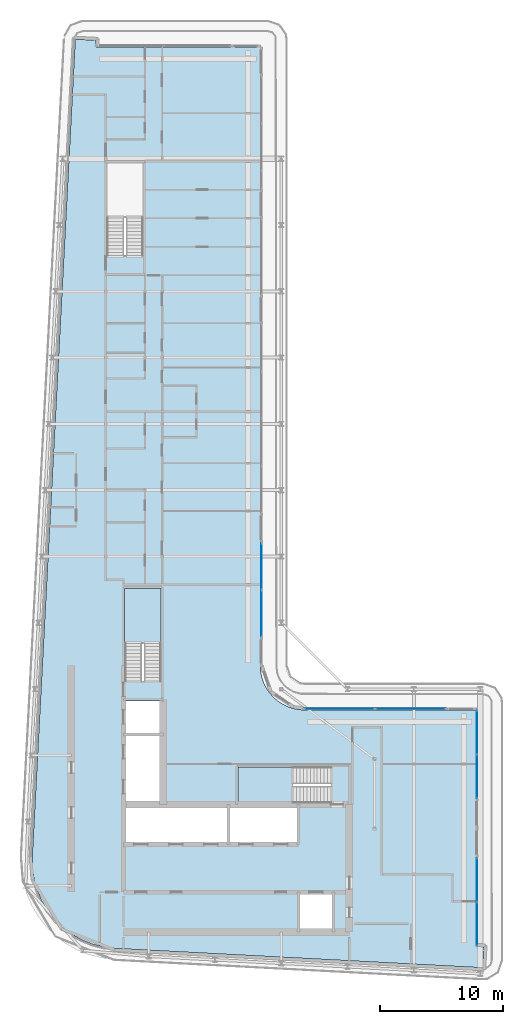
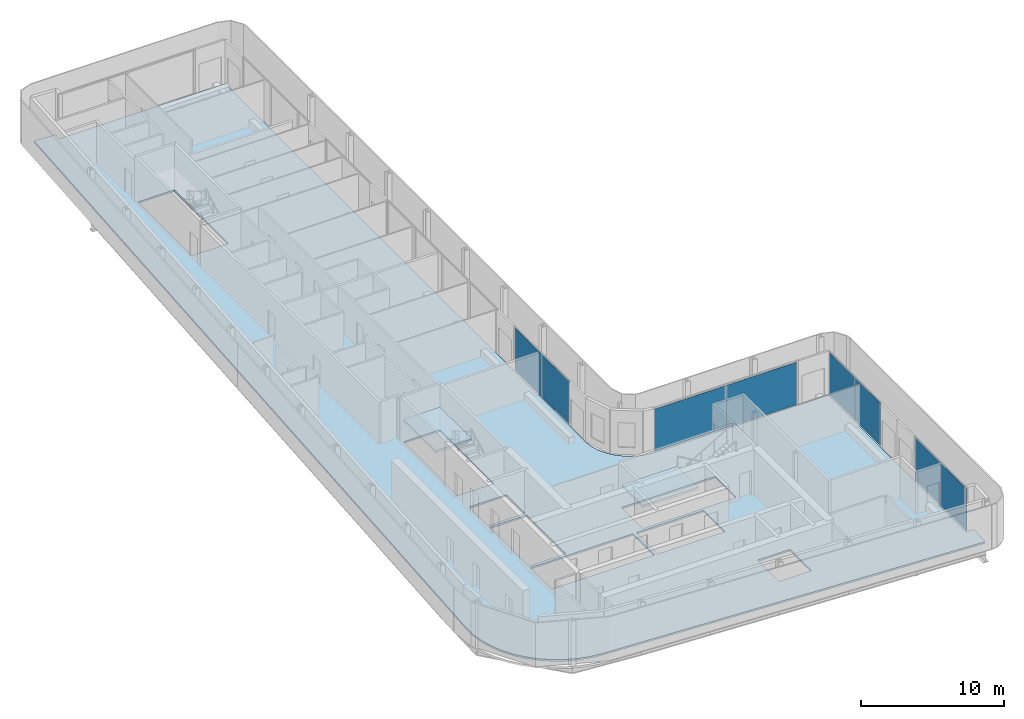
# One storey, part 9 of 21: 8 plates, 3 slabs, 6 elements without a shape of their own.
"""IFC4 building model written with IfcOpenShell, lengths in metres."""

from ifc_helpers import new_model, si_unit, direction, frame, origin, origin_2d, place, context, subcontext, project, spatial, polyline, rectangle, outline, extrude, material, layer, layer_set, type_object, element, aggregate, save


model = new_model("IFC4")

# Units and contexts
model_context = context("Model", 3, precision=1e-05, world=origin(), true_north=direction((0.0, 1.0)))
body_context = subcontext(model_context, "Body", "Model", "MODEL_VIEW")
ifc_project = project(units=[si_unit("LENGTHUNIT", "METRE"), si_unit("AREAUNIT", "SQUARE_METRE"), si_unit("VOLUMEUNIT", "CUBIC_METRE"), si_unit("PLANEANGLEUNIT", "RADIAN"), si_unit("MASSUNIT", "GRAM", prefix="KILO")], contexts=[model_context])

# Site, building, storey
site_placement = place(None, origin())
site = spatial("IfcSite", under=ifc_project, at=site_placement, CompositionType="ELEMENT")
building_placement = place(site_placement, origin())
building = spatial("IfcBuilding", under=site, at=building_placement, Name="Kheshtan School and Residences Tower", CompositionType="ELEMENT")
storey_placement = place(building_placement, frame((0.0, 0.0, 282.5)))
storey = spatial("IfcBuildingStorey", under=building, at=storey_placement, Name="L66", CompositionType="ELEMENT", Elevation=282.5)

# Curtain wall, plates
ifc_material_1 = material(Name="Clear low-e glass in thermally broken aluminium frame", Category="aluminium")
ifc_layer_1 = layer(ifc_material_1, 0.199951171875)
ifc_layer_set_1 = layer_set([ifc_layer_1], Name="Curtain wall CW-L")
curtain_wall_type = type_object("IfcCurtainWallType", Name="Curtain wall CW-L", PredefinedType="NOTDEFINED", material=ifc_layer_set_1)
curtain_wall_1_placement = place(storey_placement, origin())
curtain_wall_1 = element("IfcCurtainWall", 1, at=curtain_wall_1_placement, inside=storey, type_object=curtain_wall_type, Name="Curtain wall CWL8", PredefinedType="NOTDEFINED")
ifc_layer_2 = layer(ifc_material_1, 0.031982421875)
ifc_layer_set_2 = layer_set([ifc_layer_2], Name="CW-L glass panel")
plate_type = type_object("IfcPlateType", Name="CW-L glass panel", PredefinedType="CURTAIN_PANEL", material=ifc_layer_set_2)
plate_1_placement = place(storey_placement, frame((46.0, 55.58544921875, 0.0), z_axis=(0.0, 0.0, 1.0), x_axis=(0.0, -1.0, 0.0)))
plate_1 = element("IfcPlate", 2, at=plate_1_placement, type_object=plate_type, Name="CWL8 panel 1.1", PredefinedType="CURTAIN_PANEL", context=body_context, shape_type="SweptSolid", body=[
    extrude(rectangle(XDim=3.757080078125, YDim=0.031982421875, at=origin_2d()), origin(), (0.0, 0.0, 1.0), 3.6298828125),
])
plate_2_placement = place(storey_placement, frame((46.0, 51.7685546875, 0.0), z_axis=(0.0, 0.0, 1.0), x_axis=(0.0, -1.0, 0.0)))
plate_2 = element("IfcPlate", 3, at=plate_2_placement, type_object=plate_type, Name="CWL8 panel 2.1", PredefinedType="CURTAIN_PANEL", context=body_context, shape_type="SweptSolid", body=[
    extrude(rectangle(XDim=3.757080078125, YDim=0.031982421875, at=origin_2d()), origin(), (0.0, 0.0, 1.0), 3.6298828125),
])
aggregate(curtain_wall_1, [plate_1, plate_2])

curtain_wall_2_placement = place(storey_placement, origin())
curtain_wall_2 = element("IfcCurtainWall", 4, at=curtain_wall_2_placement, inside=storey, type_object=curtain_wall_type, Name="Curtain wall CWL1232", PredefinedType="NOTDEFINED")
plate_3_placement = place(storey_placement, frame((52.35009765625, 44.0, 0.0), z_axis=(0.0, 0.0, 1.0), x_axis=(1.0, 0.0, 0.0)))
plate_3 = element("IfcPlate", 5, at=plate_3_placement, type_object=plate_type, Name="CWL1232 panel 1.1", PredefinedType="CURTAIN_PANEL", context=body_context, shape_type="SweptSolid", body=[
    extrude(rectangle(XDim=5.719970703125, YDim=0.031982421875, at=origin_2d()), origin(), (0.0, 0.0, 1.0), 3.6298828125),
])
plate_4_placement = place(storey_placement, frame((58.1298828125, 44.0, 0.0), z_axis=(0.0, 0.0, 1.0), x_axis=(1.0, 0.0, 0.0)))
plate_4 = element("IfcPlate", 6, at=plate_4_placement, type_object=plate_type, Name="CWL1232 panel 2.1", PredefinedType="CURTAIN_PANEL", context=body_context, shape_type="SweptSolid", body=[
    extrude(rectangle(XDim=5.719970703125, YDim=0.031982421875, at=origin_2d()), origin(), (0.0, 0.0, 1.0), 3.6298828125),
])
aggregate(curtain_wall_2, [plate_3, plate_4])

curtain_wall_3_placement = place(storey_placement, origin())
curtain_wall_3 = element("IfcCurtainWall", 7, at=curtain_wall_3_placement, inside=storey, type_object=curtain_wall_type, Name="Curtain wall CWL13d", PredefinedType="NOTDEFINED")
plate_5_placement = place(storey_placement, frame((63.550048828125, 42.07666015625, 0.0), z_axis=(0.0, 0.0, 1.0), x_axis=(0.0, -1.0, 0.0)))
plate_5 = element("IfcPlate", 8, at=plate_5_placement, type_object=plate_type, Name="CWL13d panel 1.1", PredefinedType="CURTAIN_PANEL", context=body_context, shape_type="SweptSolid", body=[
    extrude(rectangle(XDim=3.52685546875, YDim=0.031982421875, at=origin_2d()), origin(), (0.0, 0.0, 1.0), 3.6298828125),
])
plate_6_placement = place(storey_placement, frame((63.550048828125, 38.489990234375, 0.0), z_axis=(0.0, 0.0, 1.0), x_axis=(0.0, -1.0, 0.0)))
plate_6 = element("IfcPlate", 9, at=plate_6_placement, type_object=plate_type, Name="CWL13d panel 2.1", PredefinedType="CURTAIN_PANEL", context=body_context, shape_type="SweptSolid", body=[
    extrude(rectangle(XDim=3.52685546875, YDim=0.031982421875, at=origin_2d()), origin(), (0.0, 0.0, 1.0), 3.6298828125),
])
aggregate(curtain_wall_3, [plate_5, plate_6])

curtain_wall_4_placement = place(storey_placement, origin())
curtain_wall_4 = element("IfcCurtainWall", 10, at=curtain_wall_4_placement, inside=storey, type_object=curtain_wall_type, Name="Curtain wall CWL13d", PredefinedType="NOTDEFINED")
plate_7_placement = place(storey_placement, frame((63.550048828125, 30.043212890625, 0.0), z_axis=(0.0, 0.0, 1.0), x_axis=(0.0, -1.0, 0.0)))
plate_7 = element("IfcPlate", 11, at=plate_7_placement, type_object=plate_type, Name="CWL13d panel 1.1", PredefinedType="CURTAIN_PANEL", context=body_context, shape_type="SweptSolid", body=[
    extrude(rectangle(XDim=3.52685546875, YDim=0.031982421875, at=origin_2d()), origin(), (0.0, 0.0, 1.0), 3.6298828125),
])
plate_8_placement = place(storey_placement, frame((63.550048828125, 26.456298828125, 0.0), z_axis=(0.0, 0.0, 1.0), x_axis=(0.0, -1.0, 0.0)))
plate_8 = element("IfcPlate", 12, at=plate_8_placement, type_object=plate_type, Name="CWL13d panel 2.1", PredefinedType="CURTAIN_PANEL", context=body_context, shape_type="SweptSolid", body=[
    extrude(rectangle(XDim=3.52685546875, YDim=0.031982421875, at=origin_2d()), origin(), (0.0, 0.0, 1.0), 3.6298828125),
])
aggregate(curtain_wall_4, [plate_7, plate_8])

# Slab
ifc_material_2 = material(Name="Concrete C40/50", Category="concrete")
ifc_layer_3 = layer(ifc_material_2, 0.14990234375)
ifc_layer_set_3 = layer_set([ifc_layer_3], Name="Floor slab 150 Concrete C40/50")
slab_type_1 = type_object("IfcSlabType", Name="Floor slab 150 Concrete C40/50", PredefinedType="FLOOR", material=ifc_layer_set_3)
slab_1_placement = place(storey_placement, frame((0.0, 0.0, -0.14990234375)))
element("IfcSlab", 13, at=slab_1_placement, inside=storey, type_object=slab_type_1, Name="Floor slab L66", PredefinedType="FLOOR", context=body_context, shape_type="SweptSolid", body=[
    extrude(outline(polyline([(28.55908203125, 27.550048828125), (28.0849609375, 28.345947265625), (27.718017578125, 29.200927734375), (27.466064453125, 30.093017578125), (27.466064453125, 30.093994140625), (27.3330078125, 31.013916015625), (27.320068359375, 31.965087890625), (27.320068359375, 31.970947265625), (30.822021484375, 98.5009765625), (30.822998046875, 98.508056640625), (30.825927734375, 98.531005859375), (30.825927734375, 98.531982421875), (30.826904296875, 98.531982421875), (31.422119140625, 98.5), (31.423095703125, 98.5), (31.423095703125, 98.4990234375), (31.423095703125, 98.4951171875), (31.423095703125, 98.493896484375), (31.424072265625, 98.493896484375), (31.424072265625, 98.492919921875), (31.425048828125, 98.492919921875), (31.426025390625, 98.492919921875), (31.426025390625, 98.493896484375), (31.427978515625, 98.49609375), (31.428955078125, 98.4970703125), (31.429931640625, 98.498046875), (31.430908203125, 98.498046875), (31.430908203125, 98.4990234375), (31.431884765625, 98.4990234375), (31.431884765625, 98.5), (31.43505859375, 98.5009765625), (31.43603515625, 98.501953125), (31.43896484375, 98.501953125), (31.43994140625, 98.501953125), (31.43994140625, 98.5029296875), (31.44091796875, 98.5029296875), (31.446044921875, 98.5029296875), (32.5009765625, 98.447021484375), (32.50390625, 98.447021484375), (32.5048828125, 98.447021484375), (32.5048828125, 98.446044921875), (32.506103515625, 98.446044921875), (32.510009765625, 98.446044921875), (32.510009765625, 98.445068359375), (32.510986328125, 98.445068359375), (32.510986328125, 98.444091796875), (32.511962890625, 98.444091796875), (32.511962890625, 98.443115234375), (32.512939453125, 98.443115234375), (32.513916015625, 98.443115234375), (32.513916015625, 98.44189453125), (32.514892578125, 98.44189453125), (32.51611328125, 98.44189453125), (32.51904296875, 98.43896484375), (32.51904296875, 98.43798828125), (32.51904296875, 98.43701171875), (32.52001953125, 98.43701171875), (32.52001953125, 98.43603515625), (32.52099609375, 98.43603515625), (32.52099609375, 98.43408203125), (32.52099609375, 98.43310546875), (32.52197265625, 98.43310546875), (32.52197265625, 98.431884765625), (32.52294921875, 98.431884765625), (32.52294921875, 98.430908203125), (32.52294921875, 98.428955078125), (32.52294921875, 98.427978515625), (32.52392578125, 98.427978515625), (32.52392578125, 98.427001953125), (32.52392578125, 98.422119140625), (32.4970703125, 97.9208984375), (32.4970703125, 97.91796875), (32.4970703125, 97.9169921875), (32.49609375, 97.9169921875), (32.49609375, 97.916015625), (32.49609375, 97.912109375), (32.4951171875, 97.910888671875), (32.4951171875, 97.909912109375), (32.493896484375, 97.909912109375), (32.493896484375, 97.908935546875), (32.492919921875, 97.908935546875), (32.492919921875, 97.907958984375), (32.489013671875, 97.904052734375), (32.488037109375, 97.904052734375), (32.488037109375, 97.903076171875), (32.488037109375, 97.902099609375), (32.488037109375, 97.90087890625), (32.489013671875, 97.90087890625), (32.489013671875, 97.89990234375), (32.489990234375, 97.89990234375), (45.85498046875, 97.89990234375), (45.864990234375, 97.89794921875), (45.865966796875, 97.89794921875), (45.868896484375, 97.89599609375), (45.8740234375, 97.89404296875), (45.8779296875, 97.89208984375), (45.881103515625, 97.889892578125), (45.881103515625, 97.888916015625), (45.882080078125, 97.888916015625), (45.882080078125, 97.887939453125), (45.883056640625, 97.887939453125), (45.884033203125, 97.885009765625), (45.885009765625, 97.885009765625), (45.885009765625, 97.884033203125), (45.887939453125, 97.883056640625), (45.887939453125, 97.882080078125), (45.888916015625, 97.882080078125), (45.888916015625, 97.881103515625), (45.889892578125, 97.881103515625), (45.89208984375, 97.8779296875), (45.89404296875, 97.8740234375), (45.89599609375, 97.868896484375), (45.89794921875, 97.865966796875), (45.89794921875, 97.864990234375), (45.89990234375, 97.85498046875), (45.89990234375, 47.429931640625), (45.927001953125, 47.030029296875), (46.01806640625, 46.570068359375), (46.01806640625, 46.569091796875), (46.169921875, 46.1201171875), (46.37890625, 45.697021484375), (46.638916015625, 45.30810546875), (46.949951171875, 44.950927734375), (46.950927734375, 44.949951171875), (47.30810546875, 44.638916015625), (47.697021484375, 44.37890625), (48.1201171875, 44.169921875), (48.569091796875, 44.01806640625), (48.570068359375, 44.01806640625), (49.030029296875, 43.927001953125), (49.429931640625, 43.89990234375), (63.405029296875, 43.89990234375), (63.409912109375, 43.89892578125), (63.4150390625, 43.89794921875), (63.416015625, 43.89794921875), (63.4189453125, 43.89599609375), (63.424072265625, 43.89404296875), (63.427978515625, 43.89208984375), (63.430908203125, 43.889892578125), (63.430908203125, 43.888916015625), (63.431884765625, 43.888916015625), (63.431884765625, 43.887939453125), (63.43310546875, 43.887939453125), (63.43408203125, 43.885009765625), (63.43505859375, 43.885009765625), (63.43505859375, 43.884033203125), (63.43798828125, 43.883056640625), (63.43798828125, 43.882080078125), (63.43896484375, 43.882080078125), (63.43896484375, 43.881103515625), (63.43994140625, 43.881103515625), (63.44189453125, 43.8779296875), (63.444091796875, 43.8740234375), (63.446044921875, 43.868896484375), (63.447998046875, 43.865966796875), (63.447998046875, 43.864990234375), (63.449951171875, 43.85498046875), (63.449951171875, 24.6279296875), (63.449951171875, 24.626953125), (63.450927734375, 24.626953125), (63.450927734375, 24.6259765625), (63.451904296875, 24.6259765625), (63.452880859375, 24.6259765625), (63.452880859375, 24.626953125), (63.455078125, 24.62890625), (63.4560546875, 24.6298828125), (63.45703125, 24.631103515625), (63.4580078125, 24.631103515625), (63.4580078125, 24.632080078125), (63.458984375, 24.632080078125), (63.458984375, 24.633056640625), (63.462890625, 24.635009765625), (63.466064453125, 24.635009765625), (63.467041015625, 24.635009765625), (63.467041015625, 24.635986328125), (63.468017578125, 24.635986328125), (63.472900390625, 24.635986328125), (64.087890625, 24.60302734375), (64.091064453125, 24.60302734375), (64.092041015625, 24.60302734375), (64.092041015625, 24.60205078125), (64.093017578125, 24.60205078125), (64.096923828125, 24.60205078125), (64.096923828125, 24.60107421875), (64.097900390625, 24.60107421875), (64.097900390625, 24.60009765625), (64.09912109375, 24.60009765625), (64.09912109375, 24.59912109375), (64.10009765625, 24.59912109375), (64.10107421875, 24.59912109375), (64.10107421875, 24.597900390625), (64.10205078125, 24.597900390625), (64.10302734375, 24.597900390625), (64.10302734375, 24.596923828125), (64.10498046875, 24.594970703125), (64.10595703125, 24.594970703125), (64.10595703125, 24.593994140625), (64.10595703125, 24.593017578125), (64.10693359375, 24.593017578125), (64.10693359375, 24.592041015625), (64.10791015625, 24.592041015625), (64.10791015625, 24.590087890625), (64.10791015625, 24.589111328125), (64.10888671875, 24.589111328125), (64.10888671875, 24.587890625), (64.110107421875, 24.587890625), (64.110107421875, 24.5869140625), (64.110107421875, 24.5849609375), (64.110107421875, 24.583984375), (64.111083984375, 24.583984375), (64.111083984375, 24.5830078125), (64.111083984375, 24.577880859375), (64.054931640625, 23.52001953125), (64.054931640625, 23.51708984375), (64.054931640625, 23.51611328125), (64.053955078125, 23.51611328125), (64.053955078125, 23.514892578125), (64.053955078125, 23.510986328125), (64.052978515625, 23.510009765625), (64.052978515625, 23.509033203125), (64.052001953125, 23.509033203125), (64.052001953125, 23.508056640625), (64.051025390625, 23.508056640625), (64.051025390625, 23.507080078125), (64.050048828125, 23.506103515625), (64.048095703125, 23.50390625), (64.047119140625, 23.5029296875), (64.0458984375, 23.5029296875), (64.0458984375, 23.501953125), (64.0458984375, 23.5009765625), (64.0458984375, 23.5), (64.047119140625, 23.5), (64.047119140625, 23.4990234375), (64.048095703125, 23.4990234375), (64.049072265625, 23.4990234375), (64.050048828125, 23.4990234375), (64.050048828125, 23.498046875), (64.01806640625, 22.904052734375), (64.01806640625, 22.903076171875), (64.01708984375, 22.903076171875), (63.992919921875, 22.902099609375), (63.988037109375, 22.902099609375), (34.056884765625, 24.47802734375), (33.114990234375, 24.590087890625), (32.215087890625, 24.819091796875), (32.214111328125, 24.819091796875), (31.35205078125, 25.1630859375), (30.541015625, 25.616943359375), (29.799072265625, 26.1708984375), (29.799072265625, 26.172119140625), (29.798095703125, 26.172119140625), (29.134033203125, 26.820068359375), (29.134033203125, 26.821044921875), (29.133056640625, 26.821044921875), (28.55908203125, 27.550048828125)]), holes=[polyline([(63.450927734375, 23.506103515625), (63.449951171875, 23.506103515625), (63.449951171875, 23.5048828125), (63.449951171875, 23.5009765625), (63.449951171875, 23.5), (63.450927734375, 23.5), (63.450927734375, 23.4990234375), (63.451904296875, 23.4990234375), (63.4560546875, 23.4990234375), (63.45703125, 23.4990234375), (63.45703125, 23.5), (63.4580078125, 23.5), (63.4580078125, 23.5009765625), (63.4580078125, 23.501953125), (63.45703125, 23.501953125), (63.4560546875, 23.5029296875), (63.455078125, 23.50390625), (63.452880859375, 23.506103515625), (63.452880859375, 23.507080078125), (63.451904296875, 23.507080078125), (63.450927734375, 23.507080078125), (63.450927734375, 23.506103515625)]), polyline([(31.424072265625, 97.906982421875), (31.423095703125, 97.906982421875), (31.423095703125, 97.906005859375), (31.423095703125, 97.902099609375), (31.423095703125, 97.90087890625), (31.424072265625, 97.90087890625), (31.424072265625, 97.89990234375), (31.425048828125, 97.89990234375), (31.428955078125, 97.89990234375), (31.429931640625, 97.89990234375), (31.429931640625, 97.90087890625), (31.430908203125, 97.90087890625), (31.430908203125, 97.902099609375), (31.430908203125, 97.903076171875), (31.429931640625, 97.903076171875), (31.428955078125, 97.904052734375), (31.427978515625, 97.905029296875), (31.427001953125, 97.906005859375), (31.426025390625, 97.906982421875), (31.426025390625, 97.907958984375), (31.425048828125, 97.907958984375), (31.424072265625, 97.907958984375), (31.424072265625, 97.906982421875)]), polyline([(51.72509765625, 28.925048828125), (49.125, 28.925048828125), (49.125, 25.925048828125), (51.72509765625, 25.925048828125), (51.72509765625, 28.925048828125)]), polyline([(43.175048828125, 33.074951171875), (43.175048828125, 36.074951171875), (34.875, 36.074951171875), (34.875, 33.074951171875), (43.175048828125, 33.074951171875)]), polyline([(43.425048828125, 36.074951171875), (43.425048828125, 33.074951171875), (48.875, 33.074951171875), (48.875, 36.074951171875), (43.425048828125, 36.074951171875)]), polyline([(51.64990234375, 37.699951171875), (51.64990234375, 39.25), (44.090087890625, 39.25), (44.090087890625, 36.300048828125), (51.639892578125, 36.300048828125), (51.639892578125, 37.699951171875), (51.64990234375, 37.699951171875)]), polyline([(37.875, 41.77490234375), (34.875, 41.77490234375), (34.875, 36.324951171875), (37.875, 36.324951171875), (37.875, 41.77490234375)]), polyline([(37.875, 44.625), (34.875, 44.625), (34.875, 42.02490234375), (37.875, 42.02490234375), (37.875, 44.625)]), polyline([(37.800048828125, 53.81005859375), (34.85009765625, 53.81005859375), (34.85009765625, 46.260009765625), (36.25, 46.260009765625), (36.25, 46.25), (37.800048828125, 46.25), (37.800048828125, 53.81005859375)]), polyline([(36.35009765625, 88.4599609375), (33.39990234375, 88.4599609375), (33.39990234375, 80.909912109375), (34.800048828125, 80.909912109375), (34.800048828125, 80.89990234375), (36.35009765625, 80.89990234375), (36.35009765625, 88.4599609375)])]), origin(), (0.0, 0.0, 1.0), 0.14990234375),
])

# Stair, slab
stair_type = type_object("IfcStairType", Name="Exit stair, half-turn", PredefinedType="HALF_TURN_STAIR", material=ifc_material_2)
stair_1_placement = place(storey_placement, origin())
stair_1 = element("IfcStair", 14, at=stair_1_placement, inside=storey, type_object=stair_type, Name="L66 Protected Exit Stair ST1", PredefinedType="HALF_TURN_STAIR")
ifc_layer_4 = layer(ifc_material_2, 0.199951171875)
ifc_layer_set_4 = layer_set([ifc_layer_4], Name="Stair landing 200 Concrete C40/50")
slab_type_2 = type_object("IfcSlabType", Name="Stair landing 200 Concrete C40/50", PredefinedType="LANDING", material=ifc_layer_set_4)
slab_2_placement = place(storey_placement, frame((0.0, 0.0, 1.75)))
slab_2 = element("IfcSlab", 15, at=slab_2_placement, type_object=slab_type_2, Name="ST1 landing 1", PredefinedType="LANDING", context=body_context, shape_type="SweptSolid", body=[
    extrude(outline(polyline([(48.570068359375, 39.25), (44.090087890625, 39.25), (44.090087890625, 36.300048828125), (48.570068359375, 36.300048828125), (48.570068359375, 39.25)])), origin(), (0.0, 0.0, 1.0), 0.199951171875),
])
aggregate(stair_1, [slab_2])

stair_2_placement = place(storey_placement, origin())
stair_2 = element("IfcStair", 16, at=stair_2_placement, inside=storey, type_object=stair_type, Name="L66 Protected Exit Stair ST2", PredefinedType="HALF_TURN_STAIR")
slab_3_placement = place(storey_placement, frame((0.0, 0.0, 1.75)))
slab_3 = element("IfcSlab", 17, at=slab_3_placement, type_object=slab_type_2, Name="ST2 landing 1", PredefinedType="LANDING", context=body_context, shape_type="SweptSolid", body=[
    extrude(outline(polyline([(37.800048828125, 49.330078125), (37.800048828125, 53.81005859375), (34.85009765625, 53.81005859375), (34.85009765625, 49.330078125), (37.800048828125, 49.330078125)])), origin(), (0.0, 0.0, 1.0), 0.199951171875),
])
aggregate(stair_2, [slab_3])

save(model, "model.ifc")
